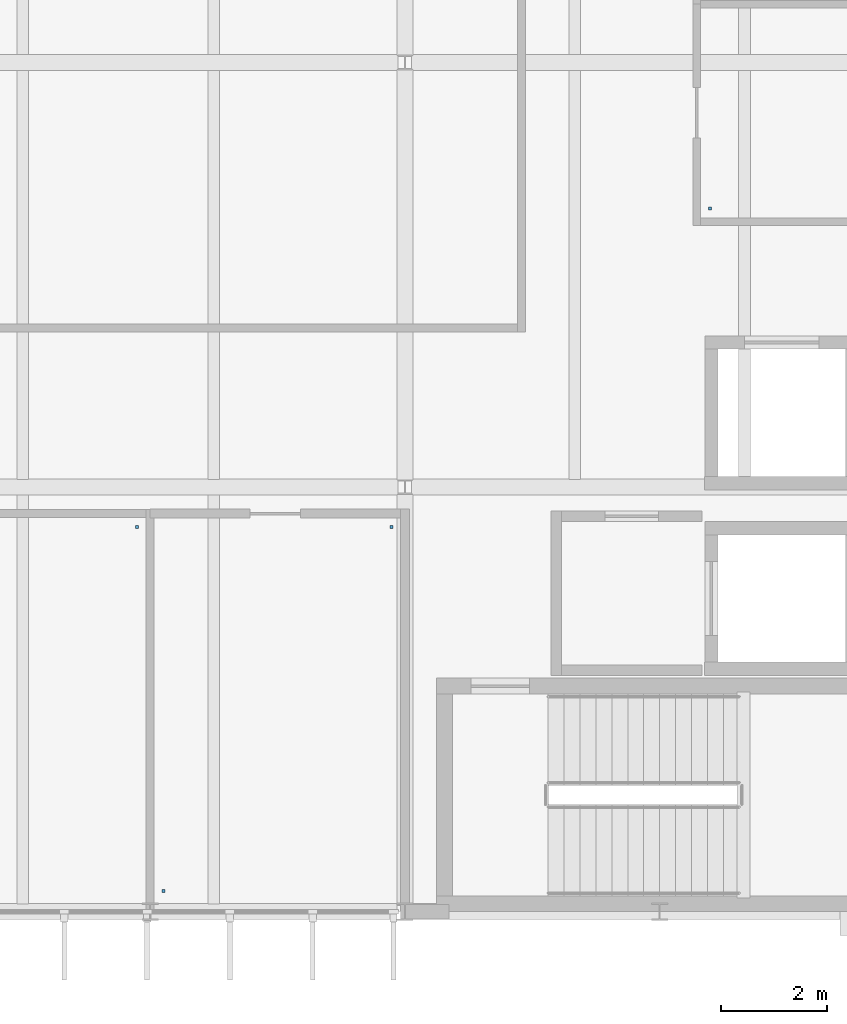
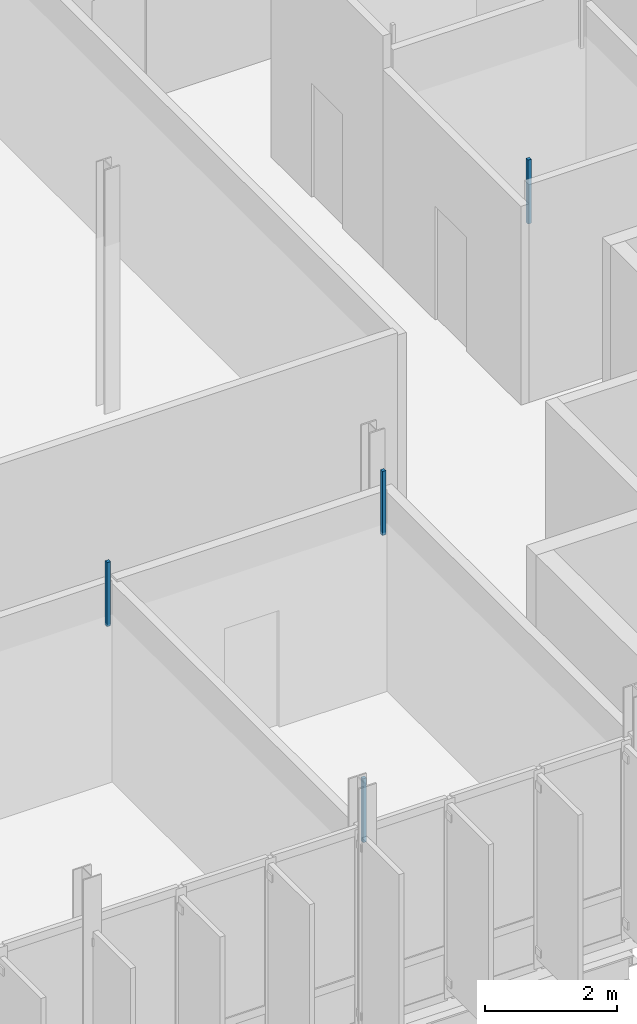
# One storey, part 38 of 59: 4 discrete accessories.
"""IFC4 building model written with IfcOpenShell, lengths in metres."""

from ifc_helpers import new_model, si_unit, direction, frame, origin, place, context, subcontext, project, spatial, polyline, outline, extrude, material, type_object, element, save


model = new_model("IFC4")

# Units and contexts
model_context = context("Model", 3, precision=1e-05, world=origin(), true_north=direction((0.0, 1.0)))
body_context = subcontext(model_context, "Body", "Model", "MODEL_VIEW")
ifc_project = project(units=[si_unit("LENGTHUNIT", "METRE"), si_unit("AREAUNIT", "SQUARE_METRE"), si_unit("VOLUMEUNIT", "CUBIC_METRE"), si_unit("PLANEANGLEUNIT", "RADIAN"), si_unit("MASSUNIT", "GRAM", prefix="KILO")], contexts=[model_context])

# Site, building, storey
site_placement = place(None, origin())
site = spatial("IfcSite", under=ifc_project, at=site_placement, CompositionType="ELEMENT")
building_placement = place(site_placement, origin())
building = spatial("IfcBuilding", under=site, at=building_placement, Name="Dunescarp Central Library", CompositionType="ELEMENT")
storey_placement = place(building_placement, frame((0.0, 0.0, 18.60009765625)))
storey = spatial("IfcBuildingStorey", under=building, at=storey_placement, Name="L04", CompositionType="ELEMENT", Elevation=18.60009765625)

# Discrete accessories
ifc_material = material(Name="Stainless steel Grade 316L", Category="steel")
discrete_accessory_type = type_object("IfcDiscreteAccessoryType", Name="ARC-ACC-BRK", PredefinedType="BRACKET", material=ifc_material)
discrete_accessory_1_placement = place(storey_placement, frame((0.0, 0.0, 3.059814453125)))
element("IfcDiscreteAccessory", 1, at=discrete_accessory_1_placement, inside=storey, type_object=discrete_accessory_type, Name="L04 ceiling hanger CLG-L04-029-H1", PredefinedType="BRACKET", context=body_context, shape_type="SweptSolid", body=[
    extrude(outline(polyline([(29.719970703125, 18.02001953125), (29.780029296875, 18.02001953125), (29.780029296875, 18.080078125), (29.719970703125, 18.080078125), (29.719970703125, 18.02001953125)])), origin(), (0.0, 0.0, 1.0), 1.18017578125),
])
discrete_accessory_2_placement = place(storey_placement, frame((0.0, 0.0, 3.059814453125)))
element("IfcDiscreteAccessory", 2, at=discrete_accessory_2_placement, inside=storey, type_object=discrete_accessory_type, Name="L04 ceiling hanger CLG-L04-031-H2", PredefinedType="BRACKET", context=body_context, shape_type="SweptSolid", body=[
    extrude(outline(polyline([(18.919921875, 12.02001953125), (18.97998046875, 12.02001953125), (18.97998046875, 12.080078125), (18.919921875, 12.080078125), (18.919921875, 12.02001953125)])), origin(), (0.0, 0.0, 1.0), 1.18017578125),
])
discrete_accessory_3_placement = place(storey_placement, frame((0.0, 0.0, 3.059814453125)))
element("IfcDiscreteAccessory", 3, at=discrete_accessory_3_placement, inside=storey, type_object=discrete_accessory_type, Name="L04 ceiling hanger CLG-L04-032-H1", PredefinedType="BRACKET", context=body_context, shape_type="SweptSolid", body=[
    extrude(outline(polyline([(19.419921875, 5.159912109375), (19.47998046875, 5.159912109375), (19.47998046875, 5.219970703125), (19.419921875, 5.219970703125), (19.419921875, 5.159912109375)])), origin(), (0.0, 0.0, 1.0), 1.18017578125),
])
discrete_accessory_4_placement = place(storey_placement, frame((0.0, 0.0, 3.059814453125)))
element("IfcDiscreteAccessory", 4, at=discrete_accessory_4_placement, inside=storey, type_object=discrete_accessory_type, Name="L04 ceiling hanger CLG-L04-032-H2", PredefinedType="BRACKET", context=body_context, shape_type="SweptSolid", body=[
    extrude(outline(polyline([(23.719970703125, 12.02001953125), (23.780029296875, 12.02001953125), (23.780029296875, 12.080078125), (23.719970703125, 12.080078125), (23.719970703125, 12.02001953125)])), origin(), (0.0, 0.0, 1.0), 1.18017578125),
])

save(model, "model.ifc")
